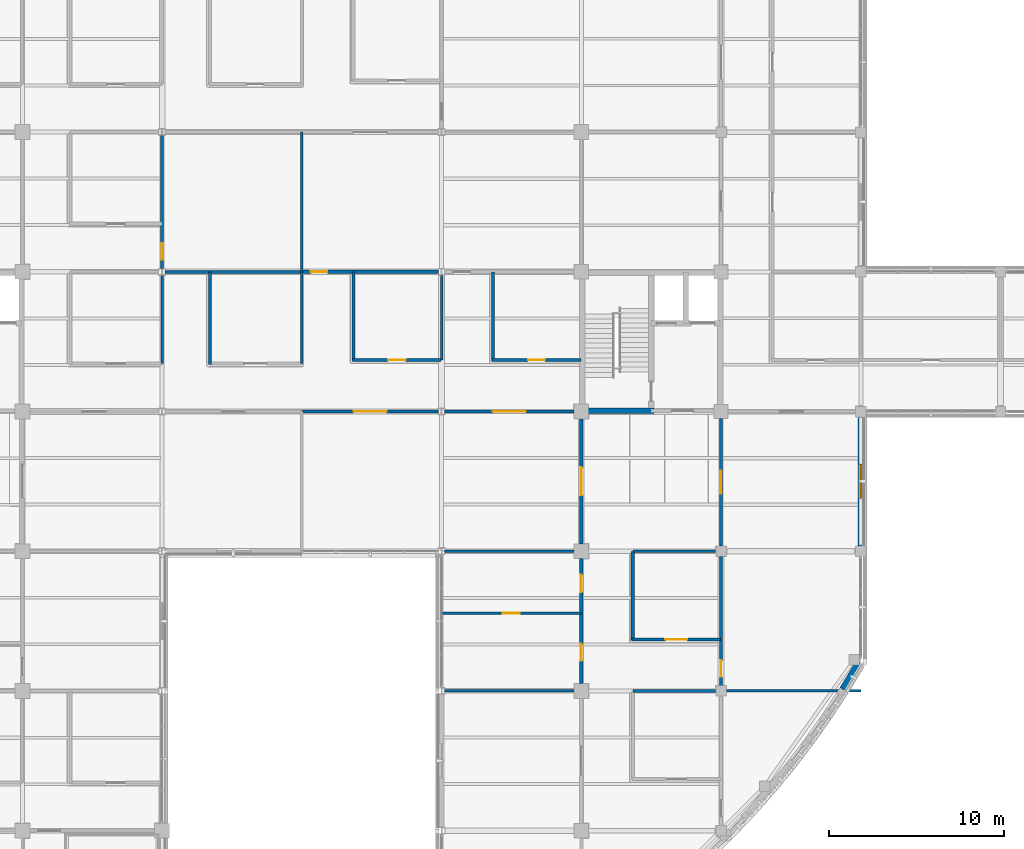
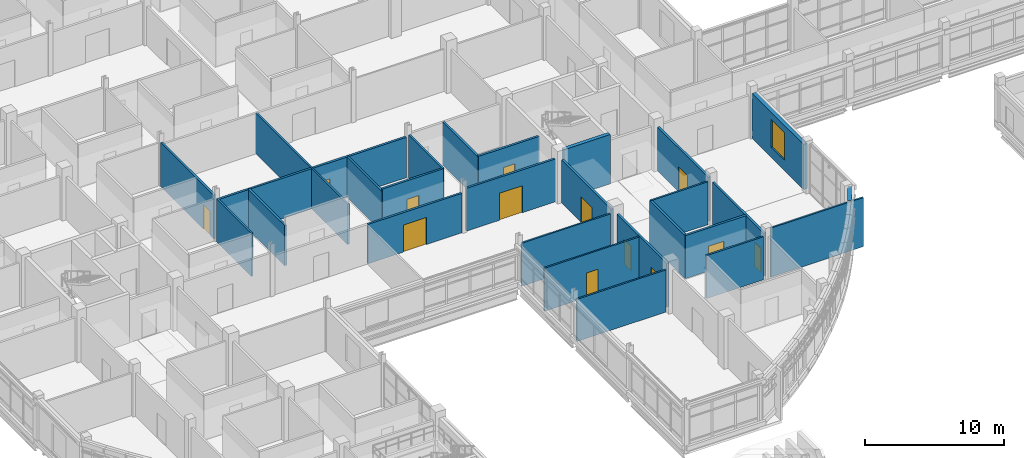
# One storey, part 83 of 121: 29 walls, 13 doors, 1 window, 14 openings.
"""IFC4 building model written with IfcOpenShell, lengths in metres."""

from ifc_helpers import new_model, si_unit, derived_unit, direction, frame, frame_2d, origin, place, context, subcontext, project, spatial, rectangle, extrude, material, layer, layer_set, type_object, element, fill, save


model = new_model("IFC4")

# Units and contexts
model_context = context("Model", 3, precision=1e-05, world=origin(), true_north=direction((0.0, 1.0)))
body_context = subcontext(model_context, "Body", "Model", "MODEL_VIEW")
ifc_project = project(units=[si_unit("LENGTHUNIT", "METRE"), si_unit("AREAUNIT", "SQUARE_METRE"), si_unit("VOLUMEUNIT", "CUBIC_METRE"), si_unit("PLANEANGLEUNIT", "RADIAN"), si_unit("MASSUNIT", "GRAM", prefix="KILO"), derived_unit("THERMALTRANSMITTANCEUNIT", [(si_unit("MASSUNIT", "GRAM", prefix="KILO"), 1), (si_unit("TIMEUNIT", "SECOND"), -3), (si_unit("THERMODYNAMICTEMPERATUREUNIT", "KELVIN"), -1)])], contexts=[model_context])

# Site, building, storey
site_placement = place(None, origin())
site = spatial("IfcSite", under=ifc_project, at=site_placement, CompositionType="ELEMENT")
building_placement = place(site_placement, origin())
building = spatial("IfcBuilding", under=site, at=building_placement, Name="Veyamyaing Civic Hall", CompositionType="ELEMENT")
storey_placement = place(building_placement, frame((0.0, 0.0, 5.280029296875)))
storey = spatial("IfcBuildingStorey", under=building, at=storey_placement, Name="L01", CompositionType="ELEMENT", Elevation=5.280029296875)

# Wall
ifc_material_1 = material(Name="Precast concrete C40/50", Category="concrete")
ifc_layer_1 = layer(ifc_material_1, 0.304931640625, Name="Precast concrete C40/50")
ifc_layer_set_1 = layer_set([ifc_layer_1], Name="Precast concrete C40/50")
wall_type_1 = type_object("IfcWallType", Name="WT-03", PredefinedType="SOLIDWALL", material=ifc_layer_set_1)
wall_1_placement = place(storey_placement, frame((118.94091796875, 32.11181640625, 0.0), z_axis=(0.0, 0.0, 1.0), x_axis=(0.51607516088, 0.856543302071, 0.0)))
element("IfcWall", 1, at=wall_1_placement, inside=storey, type_object=wall_type_1, Name="Curved corner facade wall WT-03 L01 SE.14", PredefinedType="SOLIDWALL", context=body_context, shape_type="SweptSolid", body=[
    extrude(rectangle(XDim=1.794921875, YDim=0.304931640625, at=frame_2d((0.8974609375, 0.0))), origin(), (0.0, 0.0, 1.0), 4.3349609375),
])

# Wall, opening, window
wall_2_placement = place(storey_placement, frame((120.0, 40.284912109375, 0.0), z_axis=(0.0, 0.0, 1.0), x_axis=(0.0, 1.0, 0.0)))
wall_2 = element("IfcWall", 2, at=wall_2_placement, inside=storey, type_object=wall_type_1, Name="Exterior facade wall WT-03 L01 E 15.6", PredefinedType="SOLIDWALL", context=body_context, shape_type="SweptSolid", body=[
    extrude(rectangle(XDim=7.43017578125, YDim=0.304931640625, at=frame_2d((3.715087890625, 0.0))), origin(), (0.0, 0.0, 1.0), 3.973876953125),
])
opening_1_placement = place(wall_2_placement, frame((2.739990234375, 0.0, 0.89990234375)))
opening_1 = element("IfcOpeningElement", 3, at=opening_1_placement, cuts=wall_2, Name="Opening W-26", PredefinedType="OPENING", context=body_context, shape_type="SweptSolid", body=[
    extrude(rectangle(XDim=1.949951171875, YDim=2.449951171875, at=frame_2d((0.97509765625, 1.22509765625))), frame((0.0, 0.162353515625, 0.0), z_axis=(0.0, -1.0, 0.0), x_axis=(1.0, 0.0, 0.0)), (0.0, 0.0, 1.0), 0.324951171875),
])
ifc_material_2 = material(Name="Low-E insulated glass", Category="glass")
window_type = type_object("IfcWindowType", Name="W-26", PartitioningType="SINGLE_PANEL", PredefinedType="WINDOW", material=ifc_material_2)
window_placement = place(opening_1_placement, origin())
window = element("IfcWindow", 4, at=window_placement, inside=storey, type_object=window_type, Name="Facade window W-26 L01 E 15.6", OverallHeight=2.449951171875, OverallWidth=1.949951171875, PartitioningType="SINGLE_PANEL", PredefinedType="WINDOW", context=body_context, shape_type="SweptSolid", body=[
    extrude(rectangle(XDim=1.949951171875, YDim=2.449951171875, at=frame_2d((0.97509765625, 1.22509765625))), frame((0.0, 0.030029296875, 0.0), z_axis=(0.0, -1.0, 0.0), x_axis=(1.0, 0.0, 0.0)), (0.0, 0.0, 1.0), 0.06005859375),
])
fill(opening_1, window)

# Wall
ifc_material_3 = material(Name="Concrete C40/50", Category="concrete")
ifc_layer_2 = layer(ifc_material_3, 0.300048828125, Name="Concrete C40/50")
ifc_layer_set_2 = layer_set([ifc_layer_2], Name="Concrete C40/50")
wall_type_2 = type_object("IfcWallType", Name="WT-05", PredefinedType="SHEAR", material=ifc_layer_set_2)
wall_3_placement = place(storey_placement, frame((104.31494140625, 48.050048828125, 0.0), z_axis=(0.0, 0.0, 1.0), x_axis=(1.0, 0.0, 0.0)))
element("IfcWall", 5, at=wall_3_placement, inside=storey, type_object=wall_type_2, Name="Core shear wall WT-05 CORE-6 L01.SS", PredefinedType="SHEAR", context=body_context, shape_type="SweptSolid", body=[
    extrude(rectangle(XDim=3.8349609375, YDim=0.300048828125, at=frame_2d((1.91748046875, 0.0))), origin(), (0.0, 0.0, 1.0), 4.3349609375),
])

# Wall, opening, door
ifc_material_4 = material(Name="Gypsum board on acoustic steel stud", Category="steel")
ifc_layer_3 = layer(ifc_material_4, 0.175048828125, Name="Gypsum board on acoustic steel stud")
ifc_layer_set_3 = layer_set([ifc_layer_3], Name="Gypsum board on acoustic steel stud")
wall_type_3 = type_object("IfcWallType", Name="WT-07", PredefinedType="PARTITIONING", material=ifc_layer_set_3)
wall_4_placement = place(storey_placement, frame((90.89990234375, 50.949951171875, 0.0), z_axis=(0.0, 0.0, 1.0), x_axis=(1.0, 0.0, 0.0)))
wall_4 = element("IfcWall", 6, at=wall_4_placement, inside=storey, type_object=wall_type_3, Name="Corridor gallery partition WT-07 L01.49.1", PredefinedType="PARTITIONING", context=body_context, shape_type="SweptSolid", body=[
    extrude(rectangle(XDim=5.080078125, YDim=0.175048828125, at=frame_2d((2.5400390625, 0.0))), origin(), (0.0, 0.0, 1.0), 3.781005859375),
])
opening_2_placement = place(wall_4_placement, frame((2.0400390625, 0.0, 0.0)))
opening_2 = element("IfcOpeningElement", 7, at=opening_2_placement, cuts=wall_4, Name="Opening D-13", PredefinedType="OPENING", context=body_context, shape_type="SweptSolid", body=[
    extrude(rectangle(XDim=1.0, YDim=2.14990234375, at=frame_2d((0.5, 1.074951171875))), frame((0.0, 0.097412109375, 0.0), z_axis=(0.0, -1.0, 0.0), x_axis=(1.0, 0.0, 0.0)), (0.0, 0.0, 1.0), 0.195068359375),
])
ifc_material_5 = material(Name="Teak-veneered acoustic timber", Category="wood")
door_type_1 = type_object("IfcDoorType", Name="D-13", OperationType="NOTDEFINED", PredefinedType="DOOR", material=ifc_material_5)
door_1_placement = place(opening_2_placement, origin())
door_1 = element("IfcDoor", 8, at=door_1_placement, inside=storey, type_object=door_type_1, Name="Gallery office door D-13 L01.49", OperationType="SINGLE_SWING_LEFT", OverallHeight=2.14990234375, OverallWidth=1.0, PredefinedType="DOOR", context=body_context, shape_type="SweptSolid", body=[
    extrude(rectangle(XDim=1.0, YDim=2.14990234375, at=frame_2d((0.5, 1.074951171875))), frame((0.0, 0.02490234375, 0.0), z_axis=(0.0, -1.0, 0.0), x_axis=(1.0, 0.0, 0.0)), (0.0, 0.0, 1.0), 0.050048828125),
])
fill(opening_2, door_1)

# Wall
wall_5_placement = place(storey_placement, frame((90.949951171875, 50.89990234375, 0.0), z_axis=(0.0, 0.0, 1.0), x_axis=(0.0, 1.0, 0.0)))
element("IfcWall", 9, at=wall_5_placement, inside=storey, type_object=wall_type_3, Name="Corridor gallery partition WT-07 L01.49.2", PredefinedType="PARTITIONING", context=body_context, shape_type="SweptSolid", body=[
    extrude(rectangle(XDim=5.080078125, YDim=0.175048828125, at=frame_2d((2.5400390625, 0.0))), origin(), (0.0, 0.0, 1.0), 3.550048828125),
])

# Wall, opening, door
wall_6_placement = place(storey_placement, frame((80.0, 56.176025390625, 0.0), z_axis=(0.0, 0.0, 1.0), x_axis=(0.0, 1.0, 0.0)))
wall_6 = element("IfcWall", 10, at=wall_6_placement, inside=storey, type_object=wall_type_3, Name="Interior partition wall WT-07 L01.47", PredefinedType="PARTITIONING", context=body_context, shape_type="SweptSolid", body=[
    extrude(rectangle(XDim=7.64794921875, YDim=0.175048828125, at=frame_2d((3.823974609375, 0.0))), origin(), (0.0, 0.0, 1.0), 3.85693359375),
])
opening_3_placement = place(wall_6_placement, frame((0.52001953125, 0.0, 0.0)))
opening_3 = element("IfcOpeningElement", 11, at=opening_3_placement, cuts=wall_6, Name="Opening D-30", PredefinedType="OPENING", context=body_context, shape_type="SweptSolid", body=[
    extrude(rectangle(XDim=0.93994140625, YDim=2.1201171875, at=frame_2d((0.469970703125, 1.06005859375))), frame((0.0, 0.097412109375, 0.0), z_axis=(0.0, -1.0, 0.0), x_axis=(1.0, 0.0, 0.0)), (0.0, 0.0, 1.0), 0.195068359375),
])
door_type_2 = type_object("IfcDoorType", Name="D-30", OperationType="NOTDEFINED", PredefinedType="DOOR", material=ifc_material_5)
door_2_placement = place(opening_3_placement, frame((0.93994140625, 0.0, 0.0), z_axis=(0.0, 0.0, 1.0), x_axis=(-1.0, 0.0, 0.0)))
door_2 = element("IfcDoor", 12, at=door_2_placement, inside=storey, type_object=door_type_2, Name="Interior door D-30 L01.47", OperationType="SINGLE_SWING_LEFT", OverallHeight=2.1201171875, OverallWidth=0.93994140625, PredefinedType="DOOR", context=body_context, shape_type="SweptSolid", body=[
    extrude(rectangle(XDim=0.93994140625, YDim=2.1201171875, at=frame_2d((0.469970703125, 1.06005859375))), frame((0.0, 0.02490234375, 0.0), z_axis=(0.0, -1.0, 0.0), x_axis=(1.0, 0.0, 0.0)), (0.0, 0.0, 1.0), 0.050048828125),
])
fill(opening_3, door_2)

# Wall
wall_7_placement = place(storey_placement, frame((80.177001953125, 56.0, 0.0), z_axis=(0.0, 0.0, 1.0), x_axis=(1.0, 0.0, 0.0)))
element("IfcWall", 13, at=wall_7_placement, inside=storey, type_object=wall_type_3, Name="Interior partition wall WT-07 L01.53", PredefinedType="PARTITIONING", context=body_context, shape_type="SweptSolid", body=[
    extrude(rectangle(XDim=7.822998046875, YDim=0.175048828125, at=frame_2d((3.91162109375, 0.0))), origin(), (0.0, 0.0, 1.0), 3.550048828125),
])

# Wall, opening, door
wall_8_placement = place(storey_placement, frame((88.0, 48.0, 0.0), z_axis=(0.0, 0.0, 1.0), x_axis=(1.0, 0.0, 0.0)))
wall_8 = element("IfcWall", 14, at=wall_8_placement, inside=storey, type_object=wall_type_3, Name="Interior partition wall WT-07 L01.61", PredefinedType="PARTITIONING", context=body_context, shape_type="SweptSolid", body=[
    extrude(rectangle(XDim=7.822998046875, YDim=0.175048828125, at=frame_2d((3.91162109375, 0.0))), origin(), (0.0, 0.0, 1.0), 3.468994140625),
])
opening_4_placement = place(wall_8_placement, frame((2.96142578125, 0.0, 0.0)))
opening_4 = element("IfcOpeningElement", 15, at=opening_4_placement, cuts=wall_8, Name="Opening D-31", PredefinedType="OPENING", context=body_context, shape_type="SweptSolid", body=[
    extrude(rectangle(XDim=1.89990234375, YDim=2.3798828125, at=frame_2d((0.949951171875, 1.18994140625))), frame((0.0, 0.097412109375, 0.0), z_axis=(0.0, -1.0, 0.0), x_axis=(1.0, 0.0, 0.0)), (0.0, 0.0, 1.0), 0.195068359375),
])
door_type_3 = type_object("IfcDoorType", Name="D-31", OperationType="DOUBLE_DOOR_SINGLE_SWING", PredefinedType="DOOR", material=ifc_material_5)
door_3_placement = place(opening_4_placement, frame((1.89990234375, 0.0, 0.0), z_axis=(0.0, 0.0, 1.0), x_axis=(-1.0, 0.0, 0.0)))
door_3 = element("IfcDoor", 16, at=door_3_placement, inside=storey, type_object=door_type_3, Name="Interior door D-31 L01.61", OperationType="DOUBLE_DOOR_SINGLE_SWING", OverallHeight=2.3798828125, OverallWidth=1.89990234375, PredefinedType="DOOR", context=body_context, shape_type="SweptSolid", body=[
    extrude(rectangle(XDim=1.89990234375, YDim=2.3798828125, at=frame_2d((0.949951171875, 1.18994140625))), frame((0.0, 0.02490234375, 0.0), z_axis=(0.0, -1.0, 0.0), x_axis=(1.0, 0.0, 0.0)), (0.0, 0.0, 1.0), 0.050048828125),
])
fill(opening_4, door_3)

wall_9_placement = place(storey_placement, frame((96.177001953125, 48.0, 0.0), z_axis=(0.0, 0.0, 1.0), x_axis=(1.0, 0.0, 0.0)))
wall_9 = element("IfcWall", 17, at=wall_9_placement, inside=storey, type_object=wall_type_3, Name="Interior partition wall WT-07 L01.73", PredefinedType="PARTITIONING", context=body_context, shape_type="SweptSolid", body=[
    extrude(rectangle(XDim=7.407958984375, YDim=0.175048828125, at=frame_2d((3.7041015625, 0.0))), origin(), (0.0, 0.0, 1.0), 3.77099609375),
])
opening_5_placement = place(wall_9_placement, frame((2.75390625, 0.0, 0.0)))
opening_5 = element("IfcOpeningElement", 18, at=opening_5_placement, cuts=wall_9, Name="Opening D-31", PredefinedType="OPENING", context=body_context, shape_type="SweptSolid", body=[
    extrude(rectangle(XDim=1.89990234375, YDim=2.3798828125, at=frame_2d((0.949951171875, 1.18994140625))), frame((0.0, 0.097412109375, 0.0), z_axis=(0.0, -1.0, 0.0), x_axis=(1.0, 0.0, 0.0)), (0.0, 0.0, 1.0), 0.195068359375),
])
door_4_placement = place(opening_5_placement, frame((1.89990234375, 0.0, 0.0), z_axis=(0.0, 0.0, 1.0), x_axis=(-1.0, 0.0, 0.0)))
door_4 = element("IfcDoor", 19, at=door_4_placement, inside=storey, type_object=door_type_3, Name="Interior door D-31 L01.73", OperationType="DOUBLE_DOOR_SINGLE_SWING", OverallHeight=2.3798828125, OverallWidth=1.89990234375, PredefinedType="DOOR", context=body_context, shape_type="SweptSolid", body=[
    extrude(rectangle(XDim=1.89990234375, YDim=2.3798828125, at=frame_2d((0.949951171875, 1.18994140625))), frame((0.0, 0.02490234375, 0.0), z_axis=(0.0, -1.0, 0.0), x_axis=(1.0, 0.0, 0.0)), (0.0, 0.0, 1.0), 0.050048828125),
])
fill(opening_5, door_4)

wall_10_placement = place(storey_placement, frame((112.0, 32.2900390625, 0.0), z_axis=(0.0, 0.0, 1.0), x_axis=(0.0, 1.0, 0.0)))
wall_10 = element("IfcWall", 20, at=wall_10_placement, inside=storey, type_object=wall_type_3, Name="Interior partition wall WT-07 L01.83", PredefinedType="PARTITIONING", context=body_context, shape_type="SweptSolid", body=[
    extrude(rectangle(XDim=7.419921875, YDim=0.175048828125, at=frame_2d((3.7099609375, 0.0))), origin(), (0.0, 0.0, 1.0), 3.781005859375),
])
opening_6_placement = place(wall_10_placement, frame((0.52001953125, 0.0, 0.0)))
opening_6 = element("IfcOpeningElement", 21, at=opening_6_placement, cuts=wall_10, Name="Opening D-30", PredefinedType="OPENING", context=body_context, shape_type="SweptSolid", body=[
    extrude(rectangle(XDim=0.93994140625, YDim=2.1201171875, at=frame_2d((0.469970703125, 1.06005859375))), frame((0.0, 0.097412109375, 0.0), z_axis=(0.0, -1.0, 0.0), x_axis=(1.0, 0.0, 0.0)), (0.0, 0.0, 1.0), 0.195068359375),
])
door_5_placement = place(opening_6_placement, frame((0.93994140625, 0.0, 0.0), z_axis=(0.0, 0.0, 1.0), x_axis=(-1.0, 0.0, 0.0)))
door_5 = element("IfcDoor", 22, at=door_5_placement, inside=storey, type_object=door_type_2, Name="Interior door D-30 L01.83", OperationType="SINGLE_SWING_LEFT", OverallHeight=2.1201171875, OverallWidth=0.93994140625, PredefinedType="DOOR", context=body_context, shape_type="SweptSolid", body=[
    extrude(rectangle(XDim=0.93994140625, YDim=2.1201171875, at=frame_2d((0.469970703125, 1.06005859375))), frame((0.0, 0.02490234375, 0.0), z_axis=(0.0, -1.0, 0.0), x_axis=(1.0, 0.0, 0.0)), (0.0, 0.0, 1.0), 0.050048828125),
])
fill(opening_6, door_5)

# Walls
ifc_material_6 = material(Name="Gypsum board on steel stud", Category="steel")
ifc_layer_4 = layer(ifc_material_6, 0.14990234375, Name="Gypsum board on steel stud")
ifc_layer_set_4 = layer_set([ifc_layer_4], Name="Gypsum board on steel stud")
wall_type_4 = type_object("IfcWallType", Name="WT-08", PredefinedType="PARTITIONING", material=ifc_layer_set_4)
wall_11_placement = place(storey_placement, frame((80.0, 50.75, 0.0), z_axis=(0.0, 0.0, 1.0), x_axis=(0.0, 1.0, 0.0)))
element("IfcWall", 23, at=wall_11_placement, inside=storey, type_object=wall_type_4, Name="Gallery office end partition WT-08 L01.42.2", PredefinedType="PARTITIONING", context=body_context, shape_type="SweptSolid", body=[
    extrude(rectangle(XDim=5.053955078125, YDim=0.14990234375, at=frame_2d((2.52685546875, 0.0))), origin(), (0.0, 0.0, 1.0), 3.786865234375),
])
wall_12_placement = place(storey_placement, frame((88.0, 50.75, 0.0), z_axis=(0.0, 0.0, 1.0), x_axis=(0.0, 1.0, 0.0)))
element("IfcWall", 24, at=wall_12_placement, inside=storey, type_object=wall_type_4, Name="Gallery office end partition WT-08 L01.46.2", PredefinedType="PARTITIONING", context=body_context, shape_type="SweptSolid", body=[
    extrude(rectangle(XDim=5.22998046875, YDim=0.14990234375, at=frame_2d((2.614990234375, 0.0))), origin(), (0.0, 0.0, 1.0), 3.550048828125),
])
wall_13_placement = place(storey_placement, frame((96.0, 50.949951171875, 0.0), z_axis=(0.0, 0.0, 1.0), x_axis=(0.0, 1.0, 0.0)))
element("IfcWall", 25, at=wall_13_placement, inside=storey, type_object=wall_type_4, Name="Gallery office end partition WT-08 L01.49.2", PredefinedType="PARTITIONING", context=body_context, shape_type="SweptSolid", body=[
    extrude(rectangle(XDim=4.85400390625, YDim=0.14990234375, at=frame_2d((2.427001953125, 0.0))), origin(), (0.0, 0.0, 1.0), 3.781005859375),
])
wall_14_placement = place(storey_placement, frame((106.949951171875, 32.0, 0.0), z_axis=(0.0, 0.0, 1.0), x_axis=(1.0, 0.0, 0.0)))
element("IfcWall", 26, at=wall_14_placement, inside=storey, type_object=wall_type_4, Name="Gallery office end partition WT-08 L01.55.1", PredefinedType="PARTITIONING", context=body_context, shape_type="SweptSolid", body=[
    extrude(rectangle(XDim=4.739990234375, YDim=0.14990234375, at=frame_2d((2.3701171875, 0.0))), origin(), (0.0, 0.0, 1.0), 3.786865234375),
])
wall_15_placement = place(storey_placement, frame((106.949951171875, 40.0, 0.0), z_axis=(0.0, 0.0, 1.0), x_axis=(1.0, 0.0, 0.0)))
element("IfcWall", 27, at=wall_15_placement, inside=storey, type_object=wall_type_4, Name="Gallery office end partition WT-08 L01.56.1", PredefinedType="PARTITIONING", context=body_context, shape_type="SweptSolid", body=[
    extrude(rectangle(XDim=4.739990234375, YDim=0.14990234375, at=frame_2d((2.3701171875, 0.0))), origin(), (0.0, 0.0, 1.0), 3.77099609375),
])
wall_16_placement = place(storey_placement, frame((88.0, 56.0, 0.0), z_axis=(0.0, 0.0, 1.0), x_axis=(0.0, 1.0, 0.0)))
element("IfcWall", 28, at=wall_16_placement, inside=storey, type_object=wall_type_4, Name="Interior partition wall WT-08 L01.54", PredefinedType="PARTITIONING", context=body_context, shape_type="SweptSolid", body=[
    extrude(rectangle(XDim=8.0, YDim=0.14990234375, at=frame_2d((4.0, 0.0))), origin(), (0.0, 0.0, 1.0), 3.550048828125),
])
ifc_layer_5 = layer(ifc_material_6, 0.135009765625, Name="Gypsum board on steel stud")
ifc_layer_set_5 = layer_set([ifc_layer_5], Name="Gypsum board on steel stud")
wall_type_5 = type_object("IfcWallType", Name="WT-15", PredefinedType="PARTITIONING", material=ifc_layer_set_5)
wall_17_placement = place(storey_placement, frame((96.177001953125, 40.0, 0.0), z_axis=(0.0, 0.0, 1.0), x_axis=(1.0, 0.0, 0.0)))
element("IfcWall", 29, at=wall_17_placement, inside=storey, type_object=wall_type_5, Name="Interior partition wall WT-15 L01.71", PredefinedType="PARTITIONING", context=body_context, shape_type="SweptSolid", body=[
    extrude(rectangle(XDim=7.407958984375, YDim=0.135009765625, at=frame_2d((3.7041015625, 0.0))), origin(), (0.0, 0.0, 1.0), 3.786865234375),
])

# Wall, opening, door
wall_18_placement = place(storey_placement, frame((96.02001953125, 36.449951171875, 0.0), z_axis=(0.0, 0.0, 1.0), x_axis=(1.0, 0.0, 0.0)))
wall_18 = element("IfcWall", 30, at=wall_18_placement, inside=storey, type_object=wall_type_5, Name="Sub-bay room partition WT-15 L01.2", PredefinedType="PARTITIONING", context=body_context, shape_type="SweptSolid", body=[
    extrude(rectangle(XDim=7.9599609375, YDim=0.135009765625, at=frame_2d((3.97998046875, 0.0))), origin(), (0.0, 0.0, 1.0), 3.786865234375),
])
opening_7_placement = place(wall_18_placement, frame((3.489990234375, 0.0, 0.0)))
opening_7 = element("IfcOpeningElement", 31, at=opening_7_placement, cuts=wall_18, Name="Opening D-14", PredefinedType="OPENING", context=body_context, shape_type="SweptSolid", body=[
    extrude(rectangle(XDim=0.97998046875, YDim=2.14990234375, at=frame_2d((0.489990234375, 1.074951171875))), frame((0.0, 0.077392578125, 0.0), z_axis=(0.0, -1.0, 0.0), x_axis=(1.0, 0.0, 0.0)), (0.0, 0.0, 1.0), 0.155029296875),
])
door_type_4 = type_object("IfcDoorType", Name="D-14", OperationType="NOTDEFINED", PredefinedType="DOOR", material=ifc_material_5)
door_6_placement = place(opening_7_placement, origin())
door_6 = element("IfcDoor", 32, at=door_6_placement, inside=storey, type_object=door_type_4, Name="Suite connecting door D-14 L01.2", OperationType="SINGLE_SWING_LEFT", OverallHeight=2.14990234375, OverallWidth=0.97998046875, PredefinedType="DOOR", context=body_context, shape_type="SweptSolid", body=[
    extrude(rectangle(XDim=0.97998046875, YDim=2.14990234375, at=frame_2d((0.489990234375, 1.074951171875))), frame((0.0, 0.02490234375, 0.0), z_axis=(0.0, -1.0, 0.0), x_axis=(1.0, 0.0, 0.0)), (0.0, 0.0, 1.0), 0.050048828125),
])
fill(opening_7, door_6)

# Wall
ifc_material_7 = material(Name="Gypsum board on double acoustic stud")
ifc_layer_6 = layer(ifc_material_7, 0.18505859375, Name="Gypsum board on double acoustic stud")
ifc_layer_set_6 = layer_set([ifc_layer_6], Name="Gypsum board on double acoustic stud")
wall_type_6 = type_object("IfcWallType", Name="WT-19", PredefinedType="PARTITIONING", material=ifc_layer_set_6)
wall_19_placement = place(storey_placement, frame((82.75, 50.699951171875, 0.0), z_axis=(0.0, 0.0, 1.0), x_axis=(0.0, 1.0, 0.0)))
element("IfcWall", 33, at=wall_19_placement, inside=storey, type_object=wall_type_6, Name="Corridor gallery partition WT-19 L01.46.2", PredefinedType="PARTITIONING", context=body_context, shape_type="SweptSolid", body=[
    extrude(rectangle(XDim=5.280029296875, YDim=0.18505859375, at=frame_2d((2.64013671875, 0.0))), origin(), (0.0, 0.0, 1.0), 3.550048828125),
])

# Wall, opening, door
wall_20_placement = place(storey_placement, frame((98.89990234375, 50.949951171875, 0.0), z_axis=(0.0, 0.0, 1.0), x_axis=(1.0, 0.0, 0.0)))
wall_20 = element("IfcWall", 34, at=wall_20_placement, inside=storey, type_object=wall_type_6, Name="Corridor gallery partition WT-19 L01.54.1", PredefinedType="PARTITIONING", context=body_context, shape_type="SweptSolid", body=[
    extrude(rectangle(XDim=5.080078125, YDim=0.18505859375, at=frame_2d((2.5400390625, 0.0))), origin(), (0.0, 0.0, 1.0), 3.85107421875),
])
opening_8_placement = place(wall_20_placement, frame((2.06005859375, 0.0, 0.0)))
opening_8 = element("IfcOpeningElement", 35, at=opening_8_placement, cuts=wall_20, Name="Opening D-25", PredefinedType="OPENING", context=body_context, shape_type="SweptSolid", body=[
    extrude(rectangle(XDim=0.9599609375, YDim=2.139892578125, at=frame_2d((0.47998046875, 1.06982421875))), frame((0.0, 0.1025390625, 0.0), z_axis=(0.0, -1.0, 0.0), x_axis=(1.0, 0.0, 0.0)), (0.0, 0.0, 1.0), 0.205078125),
])
door_type_5 = type_object("IfcDoorType", Name="D-25", OperationType="NOTDEFINED", PredefinedType="DOOR", material=ifc_material_5)
door_7_placement = place(opening_8_placement, origin())
door_7 = element("IfcDoor", 36, at=door_7_placement, inside=storey, type_object=door_type_5, Name="Gallery office door D-25 L01.54", OperationType="SINGLE_SWING_RIGHT", OverallHeight=2.139892578125, OverallWidth=0.9599609375, PredefinedType="DOOR", context=body_context, shape_type="SweptSolid", body=[
    extrude(rectangle(XDim=0.9599609375, YDim=2.139892578125, at=frame_2d((0.47998046875, 1.06982421875))), frame((0.0, 0.02490234375, 0.0), z_axis=(0.0, -1.0, 0.0), x_axis=(1.0, 0.0, 0.0)), (0.0, 0.0, 1.0), 0.050048828125),
])
fill(opening_8, door_7)

# Wall
wall_21_placement = place(storey_placement, frame((98.949951171875, 50.89990234375, 0.0), z_axis=(0.0, 0.0, 1.0), x_axis=(0.0, 1.0, 0.0)))
element("IfcWall", 37, at=wall_21_placement, inside=storey, type_object=wall_type_6, Name="Corridor gallery partition WT-19 L01.54.2", PredefinedType="PARTITIONING", context=body_context, shape_type="SweptSolid", body=[
    extrude(rectangle(XDim=5.080078125, YDim=0.18505859375, at=frame_2d((2.5400390625, 0.0))), origin(), (0.0, 0.0, 1.0), 3.781005859375),
])

# Wall, opening, door
wall_22_placement = place(storey_placement, frame((106.89990234375, 34.949951171875, 0.0), z_axis=(0.0, 0.0, 1.0), x_axis=(1.0, 0.0, 0.0)))
wall_22 = element("IfcWall", 38, at=wall_22_placement, inside=storey, type_object=wall_type_6, Name="Corridor gallery partition WT-19 L01.56.1", PredefinedType="PARTITIONING", context=body_context, shape_type="SweptSolid", body=[
    extrude(rectangle(XDim=5.080078125, YDim=0.18505859375, at=frame_2d((2.5400390625, 0.0))), origin(), (0.0, 0.0, 1.0), 3.781005859375),
])
opening_9_placement = place(wall_22_placement, frame((1.9150390625, 0.0, 0.0)))
opening_9 = element("IfcOpeningElement", 39, at=opening_9_placement, cuts=wall_22, Name="Opening D-29", PredefinedType="OPENING", context=body_context, shape_type="SweptSolid", body=[
    extrude(rectangle(XDim=1.25, YDim=2.179931640625, at=frame_2d((0.625, 1.08984375))), frame((0.0, 0.1025390625, 0.0), z_axis=(0.0, -1.0, 0.0), x_axis=(1.0, 0.0, 0.0)), (0.0, 0.0, 1.0), 0.205078125),
])
door_type_6 = type_object("IfcDoorType", Name="D-29", OperationType="NOTDEFINED", PredefinedType="DOOR", material=ifc_material_5)
door_8_placement = place(opening_9_placement, origin())
door_8 = element("IfcDoor", 40, at=door_8_placement, inside=storey, type_object=door_type_6, Name="Gallery office door D-29 L01.56", OperationType="SINGLE_SWING_RIGHT", OverallHeight=2.179931640625, OverallWidth=1.25, PredefinedType="DOOR", context=body_context, shape_type="SweptSolid", body=[
    extrude(rectangle(XDim=1.25, YDim=2.179931640625, at=frame_2d((0.625, 1.08984375))), frame((0.0, 0.02490234375, 0.0), z_axis=(0.0, -1.0, 0.0), x_axis=(1.0, 0.0, 0.0)), (0.0, 0.0, 1.0), 0.050048828125),
])
fill(opening_9, door_8)

# Wall
wall_23_placement = place(storey_placement, frame((106.949951171875, 34.89990234375, 0.0), z_axis=(0.0, 0.0, 1.0), x_axis=(0.0, 1.0, 0.0)))
element("IfcWall", 41, at=wall_23_placement, inside=storey, type_object=wall_type_6, Name="Corridor gallery partition WT-19 L01.56.2", PredefinedType="PARTITIONING", context=body_context, shape_type="SweptSolid", body=[
    extrude(rectangle(XDim=5.080078125, YDim=0.18505859375, at=frame_2d((2.5400390625, 0.0))), origin(), (0.0, 0.0, 1.0), 3.77099609375),
])

# Wall, opening, door
wall_24_placement = place(storey_placement, frame((88.0, 56.0, 0.0), z_axis=(0.0, 0.0, 1.0), x_axis=(1.0, 0.0, 0.0)))
wall_24 = element("IfcWall", 42, at=wall_24_placement, inside=storey, type_object=wall_type_6, Name="Interior partition wall WT-19 L01.62", PredefinedType="PARTITIONING", context=body_context, shape_type="SweptSolid", body=[
    extrude(rectangle(XDim=7.822998046875, YDim=0.18505859375, at=frame_2d((3.91162109375, 0.0))), origin(), (0.0, 0.0, 1.0), 3.550048828125),
])
opening_10_placement = place(wall_24_placement, frame((0.52001953125, 0.0, 0.0)))
opening_10 = element("IfcOpeningElement", 43, at=opening_10_placement, cuts=wall_24, Name="Opening D-30", PredefinedType="OPENING", context=body_context, shape_type="SweptSolid", body=[
    extrude(rectangle(XDim=0.93994140625, YDim=2.1201171875, at=frame_2d((0.469970703125, 1.06005859375))), frame((0.0, 0.1025390625, 0.0), z_axis=(0.0, -1.0, 0.0), x_axis=(1.0, 0.0, 0.0)), (0.0, 0.0, 1.0), 0.205078125),
])
door_9_placement = place(opening_10_placement, origin())
door_9 = element("IfcDoor", 44, at=door_9_placement, inside=storey, type_object=door_type_2, Name="Interior door D-30 L01.62", OperationType="SINGLE_SWING_RIGHT", OverallHeight=2.1201171875, OverallWidth=0.93994140625, PredefinedType="DOOR", context=body_context, shape_type="SweptSolid", body=[
    extrude(rectangle(XDim=0.93994140625, YDim=2.1201171875, at=frame_2d((0.469970703125, 1.06005859375))), frame((0.0, 0.02490234375, 0.0), z_axis=(0.0, -1.0, 0.0), x_axis=(1.0, 0.0, 0.0)), (0.0, 0.0, 1.0), 0.050048828125),
])
fill(opening_10, door_9)

# Wall, openings, doors
wall_25_placement = place(storey_placement, frame((104.0, 32.4150390625, 0.0), z_axis=(0.0, 0.0, 1.0), x_axis=(0.0, 1.0, 0.0)))
wall_25 = element("IfcWall", 45, at=wall_25_placement, inside=storey, type_object=wall_type_6, Name="Interior partition wall WT-19 L01.70", PredefinedType="PARTITIONING", context=body_context, shape_type="SweptSolid", body=[
    extrude(rectangle(XDim=7.169921875, YDim=0.18505859375, at=frame_2d((3.5849609375, 0.0))), origin(), (0.0, 0.0, 1.0), 3.85693359375),
])
opening_11_placement = place(wall_25_placement, frame((1.302490234375, 0.0, 0.0)))
opening_11 = element("IfcOpeningElement", 46, at=opening_11_placement, cuts=wall_25, Name="Opening D-14", PredefinedType="OPENING", context=body_context, shape_type="SweptSolid", body=[
    extrude(rectangle(XDim=0.97998046875, YDim=2.14990234375, at=frame_2d((0.489990234375, 1.074951171875))), frame((0.0, 0.1025390625, 0.0), z_axis=(0.0, -1.0, 0.0), x_axis=(1.0, 0.0, 0.0)), (0.0, 0.0, 1.0), 0.205078125),
])
opening_12_placement = place(wall_25_placement, frame((5.24609375, 0.0, 0.0)))
opening_12 = element("IfcOpeningElement", 47, at=opening_12_placement, cuts=wall_25, Name="Opening D-14", PredefinedType="OPENING", context=body_context, shape_type="SweptSolid", body=[
    extrude(rectangle(XDim=0.97998046875, YDim=2.14990234375, at=frame_2d((0.489990234375, 1.074951171875))), frame((0.0, 0.1025390625, 0.0), z_axis=(0.0, -1.0, 0.0), x_axis=(1.0, 0.0, 0.0)), (0.0, 0.0, 1.0), 0.205078125),
])
door_10_placement = place(opening_11_placement, origin())
door_10 = element("IfcDoor", 48, at=door_10_placement, inside=storey, type_object=door_type_4, Name="Interior room door D-14 L01.70.1", OperationType="SINGLE_SWING_RIGHT", OverallHeight=2.14990234375, OverallWidth=0.97998046875, PredefinedType="DOOR", context=body_context, shape_type="SweptSolid", body=[
    extrude(rectangle(XDim=0.97998046875, YDim=2.14990234375, at=frame_2d((0.489990234375, 1.074951171875))), frame((0.0, 0.02490234375, 0.0), z_axis=(0.0, -1.0, 0.0), x_axis=(1.0, 0.0, 0.0)), (0.0, 0.0, 1.0), 0.050048828125),
])
fill(opening_11, door_10)
door_11_placement = place(opening_12_placement, origin())
door_11 = element("IfcDoor", 49, at=door_11_placement, inside=storey, type_object=door_type_4, Name="Interior room door D-14 L01.70.2", OperationType="SINGLE_SWING_LEFT", OverallHeight=2.14990234375, OverallWidth=0.97998046875, PredefinedType="DOOR", context=body_context, shape_type="SweptSolid", body=[
    extrude(rectangle(XDim=0.97998046875, YDim=2.14990234375, at=frame_2d((0.489990234375, 1.074951171875))), frame((0.0, 0.02490234375, 0.0), z_axis=(0.0, -1.0, 0.0), x_axis=(1.0, 0.0, 0.0)), (0.0, 0.0, 1.0), 0.050048828125),
])
fill(opening_12, door_11)

# Wall, opening, door
wall_26_placement = place(storey_placement, frame((104.0, 40.4150390625, 0.0), z_axis=(0.0, 0.0, 1.0), x_axis=(0.0, 1.0, 0.0)))
wall_26 = element("IfcWall", 50, at=wall_26_placement, inside=storey, type_object=wall_type_6, Name="Interior partition wall WT-19 L01.72", PredefinedType="PARTITIONING", context=body_context, shape_type="SweptSolid", body=[
    extrude(rectangle(XDim=7.169921875, YDim=0.18505859375, at=frame_2d((3.5849609375, 0.0))), origin(), (0.0, 0.0, 1.0), 3.781005859375),
])
opening_13_placement = place(wall_26_placement, frame((2.784912109375, 0.0, 0.0)))
opening_13 = element("IfcOpeningElement", 51, at=opening_13_placement, cuts=wall_26, Name="Opening D-09", PredefinedType="OPENING", context=body_context, shape_type="SweptSolid", body=[
    extrude(rectangle(XDim=1.60009765625, YDim=2.25, at=frame_2d((0.800048828125, 1.125))), frame((0.0, 0.1025390625, 0.0), z_axis=(0.0, -1.0, 0.0), x_axis=(1.0, 0.0, 0.0)), (0.0, 0.0, 1.0), 0.205078125),
])
door_type_7 = type_object("IfcDoorType", Name="D-09", OperationType="DOUBLE_DOOR_SINGLE_SWING", PredefinedType="DOOR", material=ifc_material_5)
door_12_placement = place(opening_13_placement, origin())
door_12 = element("IfcDoor", 52, at=door_12_placement, inside=storey, type_object=door_type_7, Name="Interior door D-09 L01.72", OperationType="DOUBLE_DOOR_SINGLE_SWING", OverallHeight=2.25, OverallWidth=1.60009765625, PredefinedType="DOOR", context=body_context, shape_type="SweptSolid", body=[
    extrude(rectangle(XDim=1.60009765625, YDim=2.25, at=frame_2d((0.800048828125, 1.125))), frame((0.0, 0.02490234375, 0.0), z_axis=(0.0, -1.0, 0.0), x_axis=(1.0, 0.0, 0.0)), (0.0, 0.0, 1.0), 0.050048828125),
])
fill(opening_13, door_12)

wall_27_placement = place(storey_placement, frame((112.0, 40.2900390625, 0.0), z_axis=(0.0, 0.0, 1.0), x_axis=(0.0, 1.0, 0.0)))
wall_27 = element("IfcWall", 53, at=wall_27_placement, inside=storey, type_object=wall_type_6, Name="Interior partition wall WT-19 L01.84", PredefinedType="PARTITIONING", context=body_context, shape_type="SweptSolid", body=[
    extrude(rectangle(XDim=7.320068359375, YDim=0.18505859375, at=frame_2d((3.66015625, 0.0))), origin(), (0.0, 0.0, 1.0), 3.85107421875),
])
opening_14_placement = place(wall_27_placement, frame((3.010009765625, 0.0, 0.0)))
opening_14 = element("IfcOpeningElement", 54, at=opening_14_placement, cuts=wall_27, Name="Opening D-18", PredefinedType="OPENING", context=body_context, shape_type="SweptSolid", body=[
    extrude(rectangle(XDim=1.300048828125, YDim=2.199951171875, at=frame_2d((0.64990234375, 1.10009765625))), frame((0.0, 0.1025390625, 0.0), z_axis=(0.0, -1.0, 0.0), x_axis=(1.0, 0.0, 0.0)), (0.0, 0.0, 1.0), 0.205078125),
])
ifc_material_8 = material(Name="Anodised aluminium 6063-T6", Category="aluminium")
door_type_8 = type_object("IfcDoorType", Name="D-18", OperationType="DOUBLE_DOOR_SINGLE_SWING", PredefinedType="DOOR", material=ifc_material_8)
door_13_placement = place(opening_14_placement, frame((1.300048828125, 0.0, 0.0), z_axis=(0.0, 0.0, 1.0), x_axis=(-1.0, 0.0, 0.0)))
door_13 = element("IfcDoor", 55, at=door_13_placement, inside=storey, type_object=door_type_8, Name="Interior door D-18 L01.84", OperationType="DOUBLE_DOOR_SINGLE_SWING", OverallHeight=2.199951171875, OverallWidth=1.300048828125, PredefinedType="DOOR", context=body_context, shape_type="SweptSolid", body=[
    extrude(rectangle(XDim=1.300048828125, YDim=2.199951171875, at=frame_2d((0.64990234375, 1.10009765625))), frame((0.0, 0.02490234375, 0.0), z_axis=(0.0, -1.0, 0.0), x_axis=(1.0, 0.0, 0.0)), (0.0, 0.0, 1.0), 0.050048828125),
])
fill(opening_14, door_13)

# Walls
ifc_layer_7 = layer(ifc_material_6, 0.14208984375, Name="Gypsum board on steel stud")
ifc_layer_set_7 = layer_set([ifc_layer_7], Name="Gypsum board on steel stud")
wall_type_7 = type_object("IfcWallType", Name="WT-20", PredefinedType="PARTITIONING", material=ifc_layer_set_7)
wall_28_placement = place(storey_placement, frame((96.177001953125, 32.0, 0.0), z_axis=(0.0, 0.0, 1.0), x_axis=(1.0, 0.0, 0.0)))
element("IfcWall", 56, at=wall_28_placement, inside=storey, type_object=wall_type_7, Name="Interior partition wall WT-20 L01.69", PredefinedType="PARTITIONING", context=body_context, shape_type="SweptSolid", body=[
    extrude(rectangle(XDim=7.407958984375, YDim=0.14208984375, at=frame_2d((3.7041015625, 0.0))), origin(), (0.0, 0.0, 1.0), 3.7119140625),
])
wall_29_placement = place(storey_placement, frame((112.2900390625, 32.0, 0.0), z_axis=(0.0, 0.0, 1.0), x_axis=(1.0, 0.0, 0.0)))
element("IfcWall", 57, at=wall_29_placement, inside=storey, type_object=wall_type_7, Name="Interior partition wall WT-20 L01.93", PredefinedType="PARTITIONING", context=body_context, shape_type="SweptSolid", body=[
    extrude(rectangle(XDim=7.7099609375, YDim=0.14208984375, at=frame_2d((3.85498046875, 0.0))), origin(), (0.0, 0.0, 1.0), 4.324951171875),
])

save(model, "model.ifc")
